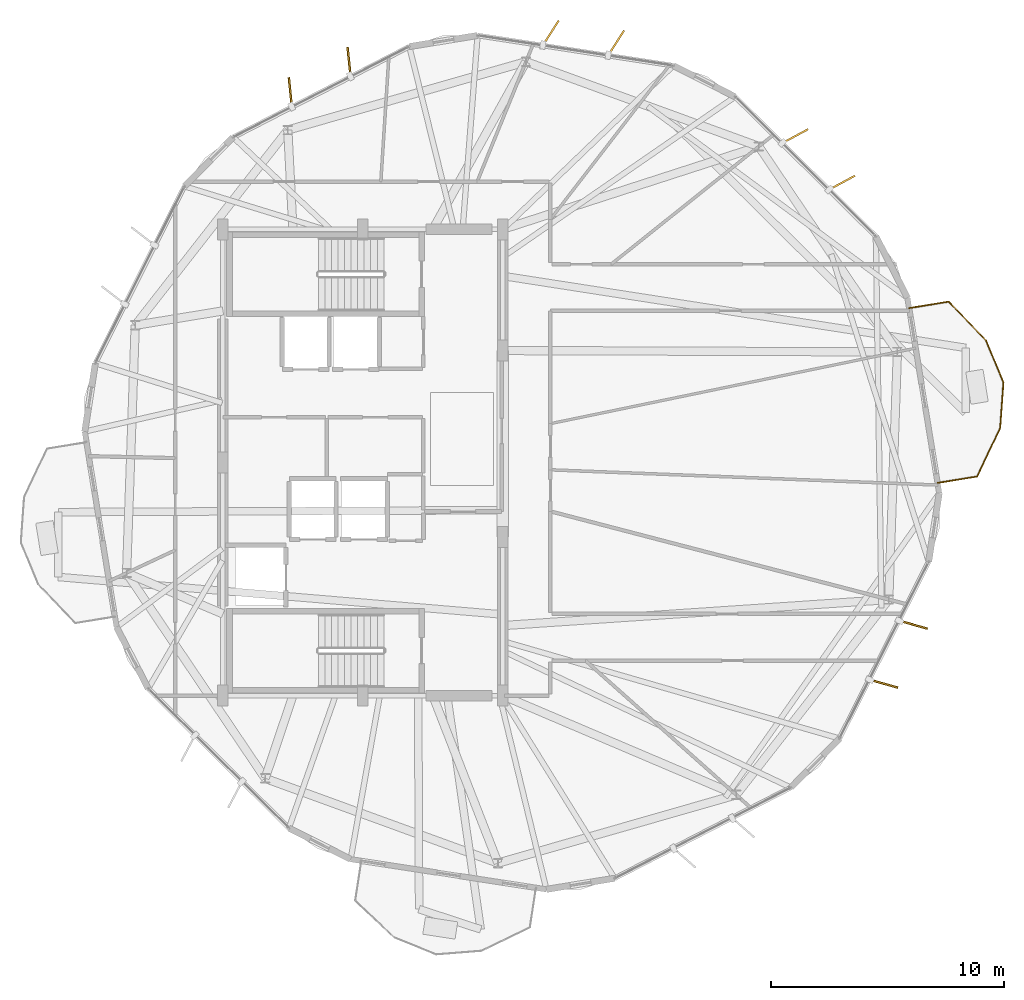
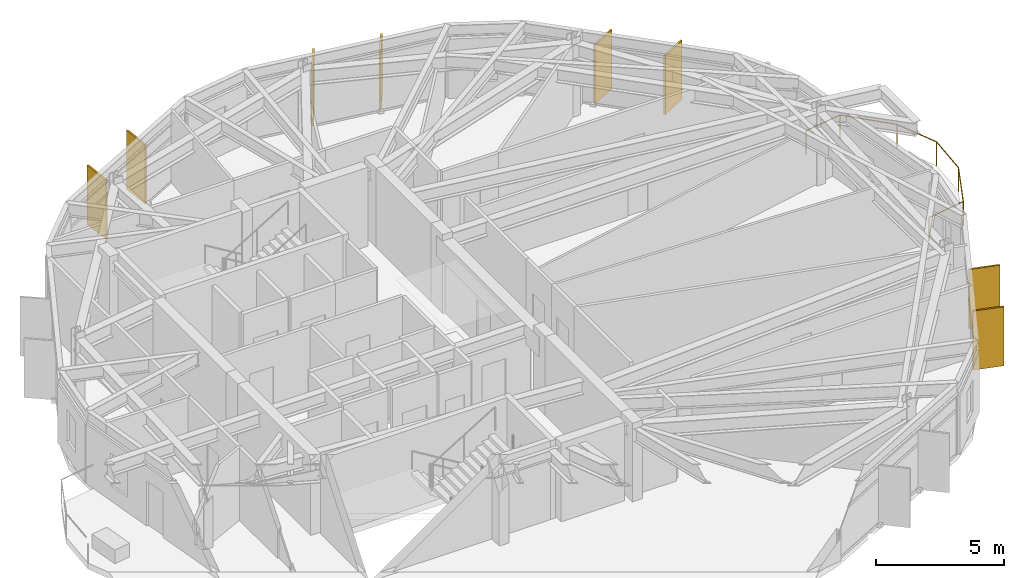
# One storey, part 22 of 22: 8 shading devices, 1 railing.
"""IFC4 building model written with IfcOpenShell, lengths in metres."""

from ifc_helpers import new_model, si_unit, direction, frame, origin, origin_2d, place, context, subcontext, project, spatial, rectangle, circle, extrude, material, layer, layer_set, type_object, element, save


model = new_model("IFC4")

# Units and contexts
model_context = context("Model", 3, precision=1e-05, world=origin(), true_north=direction((0.0, 1.0)))
body_context = subcontext(model_context, "Body", "Model", "MODEL_VIEW")
ifc_project = project(units=[si_unit("LENGTHUNIT", "METRE"), si_unit("AREAUNIT", "SQUARE_METRE"), si_unit("VOLUMEUNIT", "CUBIC_METRE"), si_unit("PLANEANGLEUNIT", "RADIAN"), si_unit("MASSUNIT", "GRAM", prefix="KILO")], contexts=[model_context])

# Site, building, storey
site_placement = place(None, origin())
site = spatial("IfcSite", under=ifc_project, at=site_placement, CompositionType="ELEMENT")
building_placement = place(site_placement, origin())
building = spatial("IfcBuilding", under=site, at=building_placement, Name="Soratama Intermodal Tower", CompositionType="ELEMENT")
storey_placement = place(building_placement, frame((0.0, 0.0, 265.0)))
storey = spatial("IfcBuildingStorey", under=building, at=storey_placement, Name="L67", CompositionType="ELEMENT", Elevation=265.0)

# Railing
ifc_material_1 = material(Name="Laminated glass and stainless steel balustrade", Category="steel")
railing_type = type_object("IfcRailingType", Name="RL-BAL-1150", PredefinedType="BALUSTRADE", material=ifc_material_1)
railing_placement = place(storey_placement, frame((62.037841796875, 31.62158203125, 0.0)))
element("IfcRailing", 1, at=railing_placement, inside=storey, type_object=railing_type, Name="L67 Balcony Balustrade 1", PredefinedType="BALUSTRADE", context=body_context, shape_type="SweptSolid", body=[
    extrude(circle(Radius=0.02392578125, at=origin_2d()), frame((0.0, 0.0, 1.1259765625), z_axis=(0.987027157289, 0.160553389169, 0.0), x_axis=(-0.160553389169, 0.987027157289, 0.0)), (0.0, 0.0, 1.0), 1.7197265625),
    extrude(circle(Radius=0.02392578125, at=origin_2d()), frame((1.697509765625, 0.276123046875, 1.1259765625), z_axis=(0.692738743786, -0.72118862502, 0.0), x_axis=(0.72118862502, 0.692738743786, 0.0)), (0.0, 0.0, 1.0), 2.308349609375),
    extrude(circle(Radius=0.02392578125, at=origin_2d()), frame((3.296630859375, -1.388671875, 1.1259765625), z_axis=(0.383283073982, -0.923630924774, 0.0), x_axis=(0.923630924774, 0.383283073982, 0.0)), (0.0, 0.0, 1.0), 1.952392578125),
    extrude(circle(Radius=0.02392578125, at=origin_2d()), frame((4.044921875, -3.19189453125, 1.1259765625), z_axis=(-0.070784885637, -0.997491603957, 0.0), x_axis=(0.997491603957, -0.070784885637, 0.0)), (0.0, 0.0, 1.0), 1.9521484375),
    extrude(circle(Radius=0.02392578125, at=origin_2d()), frame((3.90673828125, -5.13916015625, 1.1259765625), z_axis=(-0.428331828333, -0.903621516365, 0.0), x_axis=(0.903621516365, -0.428331828333, 0.0)), (0.0, 0.0, 1.0), 2.308349609375),
    extrude(circle(Radius=0.02392578125, at=origin_2d()), frame((2.91796875, -7.22509765625, 1.1259765625), z_axis=(-0.987030815802, -0.160530896271, 0.0), x_axis=(0.160530896271, -0.987030815802, 0.0)), (0.0, 0.0, 1.0), 1.719970703125),
    extrude(circle(Radius=0.02099609375, at=origin_2d()), origin(), (0.0, 0.0, 1.0), 1.101806640625),
    extrude(circle(Radius=0.02099609375, at=origin_2d()), frame((1.697509765625, 0.276123046875, 0.0)), (0.0, 0.0, 1.0), 1.101806640625),
    extrude(circle(Radius=0.02099609375, at=origin_2d()), frame((3.296630859375, -1.388671875, 0.0)), (0.0, 0.0, 1.0), 1.101806640625),
    extrude(circle(Radius=0.02099609375, at=origin_2d()), frame((4.044921875, -3.19189453125, 0.0)), (0.0, 0.0, 1.0), 1.101806640625),
    extrude(circle(Radius=0.02099609375, at=origin_2d()), frame((3.90673828125, -5.13916015625, 0.0)), (0.0, 0.0, 1.0), 1.101806640625),
    extrude(circle(Radius=0.02099609375, at=origin_2d()), frame((2.91796875, -7.22509765625, 0.0)), (0.0, 0.0, 1.0), 1.101806640625),
    extrude(circle(Radius=0.02099609375, at=origin_2d()), frame((1.22021484375, -7.501220703125, 0.0)), (0.0, 0.0, 1.0), 1.101806640625),
])

# Shading devices
ifc_material_2 = material(Name="Champagne anodised aluminium solar fin", Category="aluminium")
ifc_layer = layer(ifc_material_2, 0.080078125)
ifc_layer_set = layer_set([ifc_layer], Name="Champagne anodised aluminium solar fin")
shading_device_type = type_object("IfcShadingDeviceType", Name="SH-FIN-1250", PredefinedType="USERDEFINED", material=ifc_layer_set)
for number, where, z_axis, x_axis, name in (
    (2, (49.46923828125, 42.999755859375, 0.02001953125), (0.0, 0.0, 1.0), (0.536710679153, 0.843766346142, 0.0), "L67 Solar Fin F01-1"),
    (3, (46.669189453125, 43.43115234375, 0.02001953125), (0.0, 0.0, 1.0), (0.536710679153, 0.843766346142, 0.0), "L67 Solar Fin F01-2"),
    (4, (38.009765625, 42.18701171875, 0.02001953125), (0.0, 0.0, 1.0), (-0.102098078224, 0.994774337437, 0.0), "L67 Solar Fin F02-1"),
    (5, (35.49072265625, 40.89013671875, 0.02001953125), (0.0, 0.0, 1.0), (-0.102098078224, 0.994774337437, 0.0), "L67 Solar Fin F02-2"),
    (6, (60.947509765625, 15.50830078125, 0.02001953125), (0.0, 0.0, 1.0), (0.961932334778, -0.273287729889, 0.0), "L67 Solar Fin F08-1"),
    (7, (62.22314453125, 18.0380859375, 0.02001953125), (0.0, 0.0, 1.0), (0.961932334778, -0.273287729889, 0.0), "L67 Solar Fin F08-2"),
    (8, (59.163818359375, 37.00390625, 0.02001953125), (0.0, 0.0, 1.0), (0.88072546481, 0.473627127217, 0.0), "L67 Solar Fin F10-1"),
    (9, (57.152099609375, 38.998779296875, 0.02001953125), (0.0, 0.0, 1.0), (0.88072546481, 0.473627127217, 0.0), "L67 Solar Fin F10-2"),
):
    element("IfcShadingDevice", number, at=place(storey_placement, frame(where, z_axis=z_axis, x_axis=x_axis)), inside=storey, type_object=shading_device_type, Name=name, ObjectType="FIN", PredefinedType="USERDEFINED", context=body_context, shape_type="SweptSolid", body=[
        extrude(rectangle(XDim=1.25, YDim=0.080078125, at=origin_2d()), origin(), (0.0, 0.0, 1.0), 2.80908203125),
    ])

save(model, "model.ifc")
